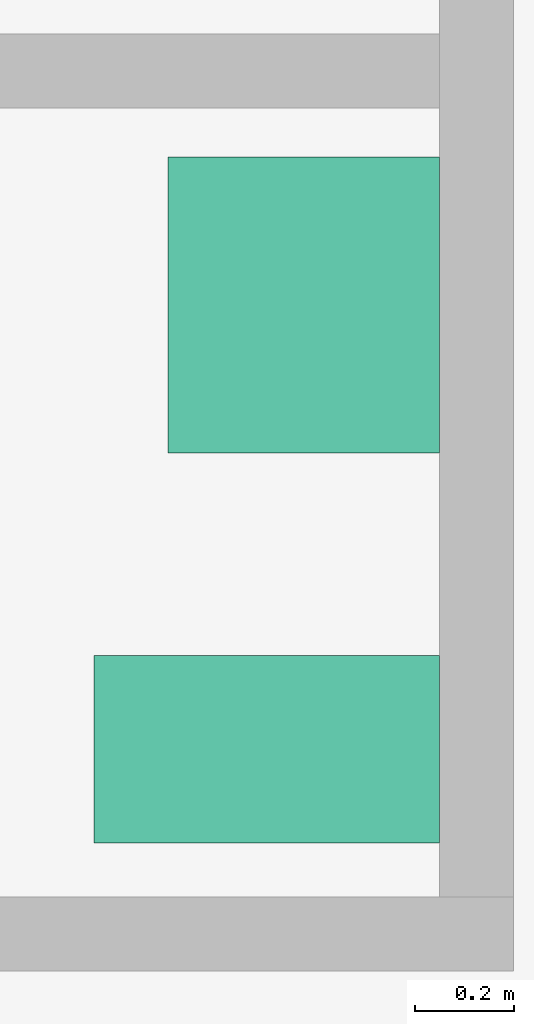
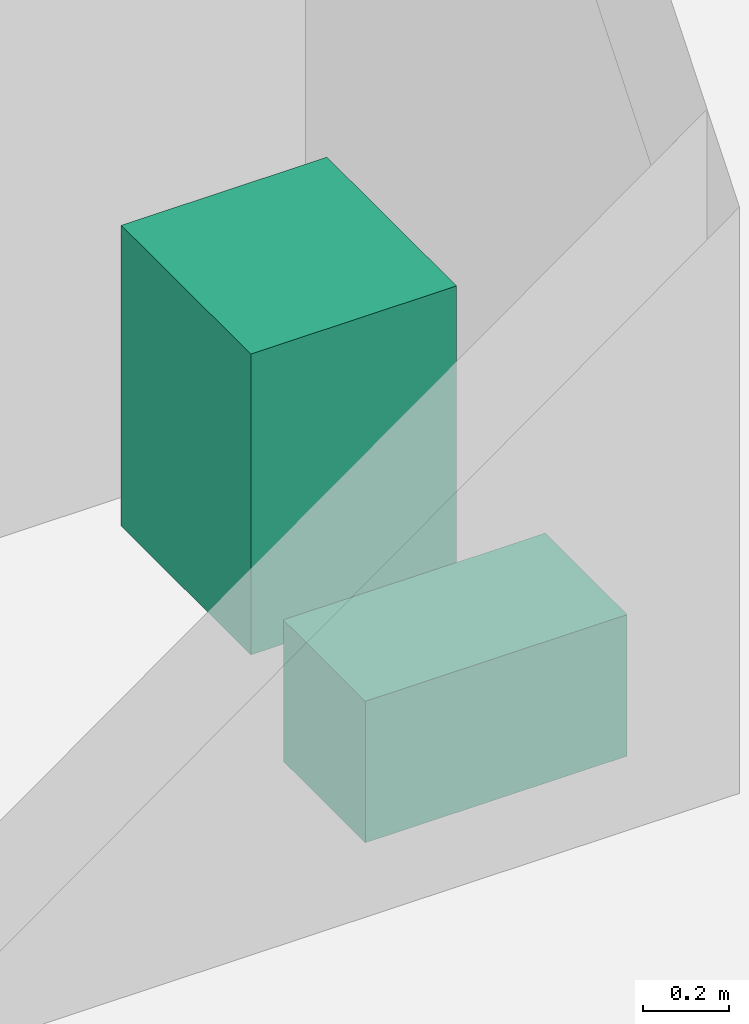
# One storey, part 12 of 12: 2 sanitary terminals.
"""IFC4 building model written with IfcOpenShell, lengths in metres."""

import ifcopenshell
import ifcopenshell.guid

model = None  # the IFC model being written
_history = None  # IfcOwnerHistory: only IFC2X3 demands one
_inside = {}  # id of a spatial element -> (the spatial element, [elements in it])
_under = {}  # id of a project, library or spatial element -> (it, [spatial elements below it])
_declared = {}  # id of a project -> (the project, [libraries it declares])
_typed = {}  # id of a type object -> (the type object, [elements of that type])
_made_of = {}  # id of a material, layer set ... -> (it, [elements and type objects made of it])


def new_model(schema):
    """Start an empty IFC model of exactly this schema.

    Asked for "IFC4X3", IfcOpenShell would pick the latest addendum, in which some entities
    have other attributes; the version numbers below select the first issue.
    IFC2X3 requires an IfcOwnerHistory on every rooted entity: one is made here for all.
    """
    global model, _history
    if schema == "IFC4X3":
        model = ifcopenshell.file(schema_version=(4, 3, 0, 0))
    else:
        model = ifcopenshell.file(schema=schema)
    _inside.clear()
    _under.clear()
    _declared.clear()
    _typed.clear()
    _made_of.clear()
    _history = None
    if model.schema == "IFC2X3":
        org = make("IfcOrganization", Name="unknown")
        user = make(
            "IfcPersonAndOrganization",
            ThePerson=make("IfcPerson", FamilyName="unknown"),
            TheOrganization=org,
        )
        app = make(
            "IfcApplication",
            ApplicationDeveloper=org,
            Version="unknown",
            ApplicationFullName="unknown",
            ApplicationIdentifier="unknown",
        )
        _history = make(
            "IfcOwnerHistory",
            OwningUser=user,
            OwningApplication=app,
            ChangeAction="ADDED",
            CreationDate=0,
        )
    return model


def make(cls, **values):
    """One entity of the class cls with the attributes given. An attribute that is None is left unset."""
    return model.create_entity(
        cls, **{name: value for name, value in values.items() if value is not None}
    )


def rooted(cls, **values):
    """An entity with a GlobalId (a new one), such as an element, a storey or a relation."""
    return make(cls, GlobalId=ifcopenshell.guid.new(), OwnerHistory=_history, **values)


def si_unit(unit_type, name, prefix=None):
    """IfcSIUnit, for example si_unit("LENGTHUNIT", "METRE", prefix="MILLI")."""
    return make("IfcSIUnit", UnitType=unit_type, Prefix=prefix, Name=name)


def assignment(units):
    """IfcUnitAssignment: the units of a project."""
    return None if units is None else make("IfcUnitAssignment", Units=units)


def point(xyz):
    """IfcCartesianPoint."""
    return None if xyz is None else make("IfcCartesianPoint", Coordinates=xyz)


def direction(xyz):
    """IfcDirection."""
    return None if xyz is None else make("IfcDirection", DirectionRatios=xyz)


def frame(location, z_axis=None, x_axis=None):
    """IfcAxis2Placement3D, a coordinate frame: its origin and axes. An axis left out is left unset."""
    return make(
        "IfcAxis2Placement3D",
        Location=point(location),
        Axis=direction(z_axis),
        RefDirection=direction(x_axis),
    )


def frame_2d(location, x_axis=None):
    """IfcAxis2Placement2D, a coordinate frame in the plane: its origin and x axis."""
    return make(
        "IfcAxis2Placement2D", Location=point(location), RefDirection=direction(x_axis)
    )


def origin():
    """The frame at (0, 0, 0) with its axes left unset."""
    return frame((0.0, 0.0, 0.0))


def origin_2d():
    """The frame at (0, 0) in the plane with its x axis left unset."""
    return frame_2d((0.0, 0.0))


def place(relative_to, where):
    """IfcLocalPlacement: puts the frame where relative to a parent placement (None: the world)."""
    return make(
        "IfcLocalPlacement", PlacementRelTo=relative_to, RelativePlacement=where
    )


def context(
    kind, dimensions, precision=None, world=None, true_north=None, identifier=None
):
    """IfcGeometricRepresentationContext, for example the 3D "Model" context."""
    return make(
        "IfcGeometricRepresentationContext",
        ContextIdentifier=identifier,
        ContextType=kind,
        CoordinateSpaceDimension=dimensions,
        Precision=precision,
        WorldCoordinateSystem=world,
        TrueNorth=true_north,
    )


def subcontext(parent, identifier, kind, view, scale=None):
    """IfcGeometricRepresentationSubContext, for example "Body" below "Model"."""
    return make(
        "IfcGeometricRepresentationSubContext",
        ContextIdentifier=identifier,
        ContextType=kind,
        ParentContext=parent,
        TargetScale=scale,
        TargetView=view,
    )


def project(units=None, contexts=None):
    """IfcProject with its units and contexts."""
    return rooted(
        "IfcProject",
        Name="project",
        RepresentationContexts=contexts,
        UnitsInContext=assignment(units),
    )


def spatial(cls, under=None, at=None, **own):
    """A site, building, storey or space (cls), placed at a placement, below another one or the project."""
    s = rooted(cls, ObjectPlacement=at, **own)
    if under is not None:
        _under.setdefault(under.id(), (under, []))[1].append(s)
    return s


def profile(cls, at=None, kind="AREA", **sizes):
    """A parametric profile (cls). Its sizes go by their IFC names, for example OverallWidth=200.0."""
    return make(cls, ProfileType=kind, Position=at, **sizes)


def rectangle(**sizes):
    """IfcRectangleProfileDef."""
    return profile("IfcRectangleProfileDef", **sizes)


def extrude(swept, where, along, depth):
    """IfcExtrudedAreaSolid: the profile swept, set in the frame where, extruded along a direction by depth."""
    return make(
        "IfcExtrudedAreaSolid",
        SweptArea=swept,
        Position=where,
        ExtrudedDirection=direction(along),
        Depth=depth,
    )


def shape(context_of_items, identifier, shape_type, items):
    """IfcShapeRepresentation: the items that make up one representation, for example the "Body"."""
    return make(
        "IfcShapeRepresentation",
        ContextOfItems=context_of_items,
        RepresentationIdentifier=identifier,
        RepresentationType=shape_type,
        Items=items,
    )


def material(Name=None, Category=None):
    """IfcMaterial."""
    return make("IfcMaterial", Name=Name, Category=Category)


def made_of(thing, what):
    """Note that an element or type object is made of a material, layer set ...; save() writes the relation."""
    if what is not None:
        _made_of.setdefault(what.id(), (what, []))[1].append(thing)
    return thing


def element(
    cls,
    number,
    at=None,
    inside=None,
    cuts=None,
    type_object=None,
    material=None,
    context=None,
    identifier="Body",
    shape_type=None,
    held_by="IfcProductDefinitionShape",
    body=None,
    shapes=None,
    **own,
):
    """One element of the class cls, such as IfcWall. Its Tag is "e" and its number.

    at: its placement. inside: the storey or other place that contains it. cuts: it is an
    opening in that element (IfcRelVoidsElement). A single representation is given by context,
    identifier, shape_type and body (its items); several are given by shapes. held_by: the class
    of the entity that holds the representations. save() writes the other relations.
    """
    e = rooted(cls, Tag="e%d" % number, ObjectPlacement=at, **own)
    if body is not None:
        shapes = [shape(context, identifier, shape_type, body)]
    if shapes is not None:
        e.Representation = make(held_by, Representations=shapes)
    if inside is not None:
        _inside.setdefault(inside.id(), (inside, []))[1].append(e)
    if cuts is not None:
        rooted(
            "IfcRelVoidsElement", RelatingBuildingElement=cuts, RelatedOpeningElement=e
        )
    if type_object is not None:
        _typed.setdefault(type_object.id(), (type_object, []))[1].append(e)
    return made_of(e, material)


def aggregate(whole, parts):
    """IfcRelAggregates: a whole, such as a stair, and the parts it consists of."""
    return rooted("IfcRelAggregates", RelatingObject=whole, RelatedObjects=parts)


def save(model, path):
    """Write the relations noted so far, then the file.

    IfcRelAggregates (storeys below a building ...), IfcRelContainedInSpatialStructure (elements
    in a storey), IfcRelDefinesByType, IfcRelAssociatesMaterial and IfcRelDeclares: one each for
    every whole, place, type object, material and project.
    """
    for whole, parts in _under.values():
        aggregate(whole, parts)
    for where, things in _inside.values():
        rooted(
            "IfcRelContainedInSpatialStructure",
            RelatedElements=things,
            RelatingStructure=where,
        )
    for kind, things in _typed.values():
        rooted("IfcRelDefinesByType", RelatedObjects=things, RelatingType=kind)
    for what, things in _made_of.values():
        rooted("IfcRelAssociatesMaterial", RelatedObjects=things, RelatingMaterial=what)
    for by, libraries in _declared.values():
        rooted("IfcRelDeclares", RelatingContext=by, RelatedDefinitions=libraries)
    model.write(path)


model = new_model("IFC4")

# Units and contexts
model_context = context("Model", 3, precision=1e-05, world=origin(), true_north=direction((0.0, 1.0)))
body_context = subcontext(model_context, "Body", "Model", "MODEL_VIEW")
ifc_project = project(units=[si_unit("LENGTHUNIT", "METRE"), si_unit("AREAUNIT", "SQUARE_METRE"), si_unit("VOLUMEUNIT", "CUBIC_METRE"), si_unit("PLANEANGLEUNIT", "RADIAN"), si_unit("MASSUNIT", "GRAM", prefix="KILO")], contexts=[model_context])

# Site, building, storey
site_placement = place(None, origin())
site = spatial("IfcSite", under=ifc_project, at=site_placement, CompositionType="ELEMENT")
building_placement = place(site_placement, origin())
building = spatial("IfcBuilding", under=site, at=building_placement, Name="Kopane Lantern Tower", CompositionType="ELEMENT")
storey_placement = place(building_placement, frame((0.0, 0.0, 80.60009765625)))
storey = spatial("IfcBuildingStorey", under=building, at=storey_placement, Name="L20", CompositionType="ELEMENT", Elevation=80.60009765625)

# Sanitary terminals
ifc_material = material(Name="Vitreous china")
sanitary_terminal_1_placement = place(storey_placement, frame((34.550048828125, 28.35009765625, 0.0), z_axis=(0.0, 0.0, 1.0), x_axis=(1.0, 0.0, 0.0)))
element("IfcSanitaryTerminal", 1, at=sanitary_terminal_1_placement, inside=storey, material=ifc_material, Name="WC pan L20", PredefinedType="TOILETPAN", context=body_context, shape_type="SweptSolid", body=[
    extrude(rectangle(XDim=0.699951171875, YDim=0.3798828125, at=origin_2d()), origin(), (0.0, 0.0, 1.0), 0.39990234375),
])
sanitary_terminal_2_placement = place(storey_placement, frame((34.625, 29.25, -0.000244140625), z_axis=(0.0, 0.0, 1.0), x_axis=(1.0, 0.0, 0.0)))
element("IfcSanitaryTerminal", 2, at=sanitary_terminal_2_placement, inside=storey, material=ifc_material, Name="Wash basin L20", PredefinedType="WASHHANDBASIN", context=body_context, shape_type="SweptSolid", body=[
    extrude(rectangle(XDim=0.550048828125, YDim=0.60009765625, at=origin_2d()), origin(), (0.0, 0.0, 1.0), 0.85009765625),
])

save(model, "model.ifc")
